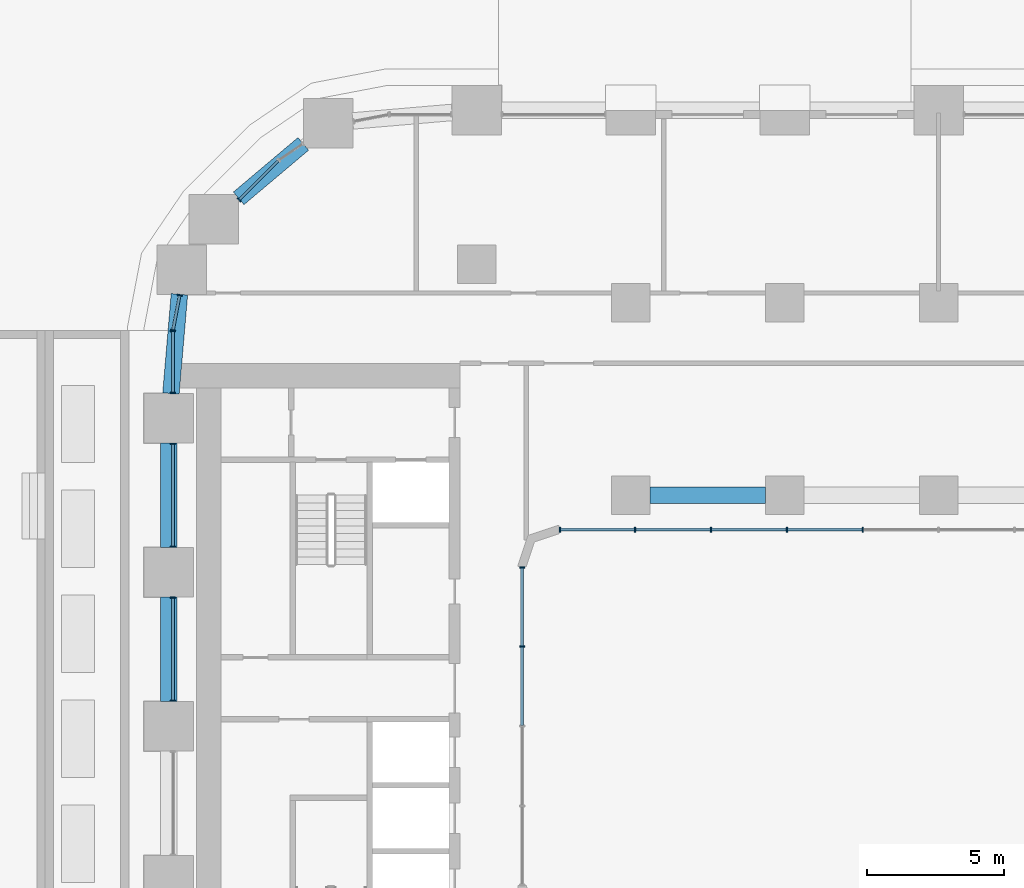
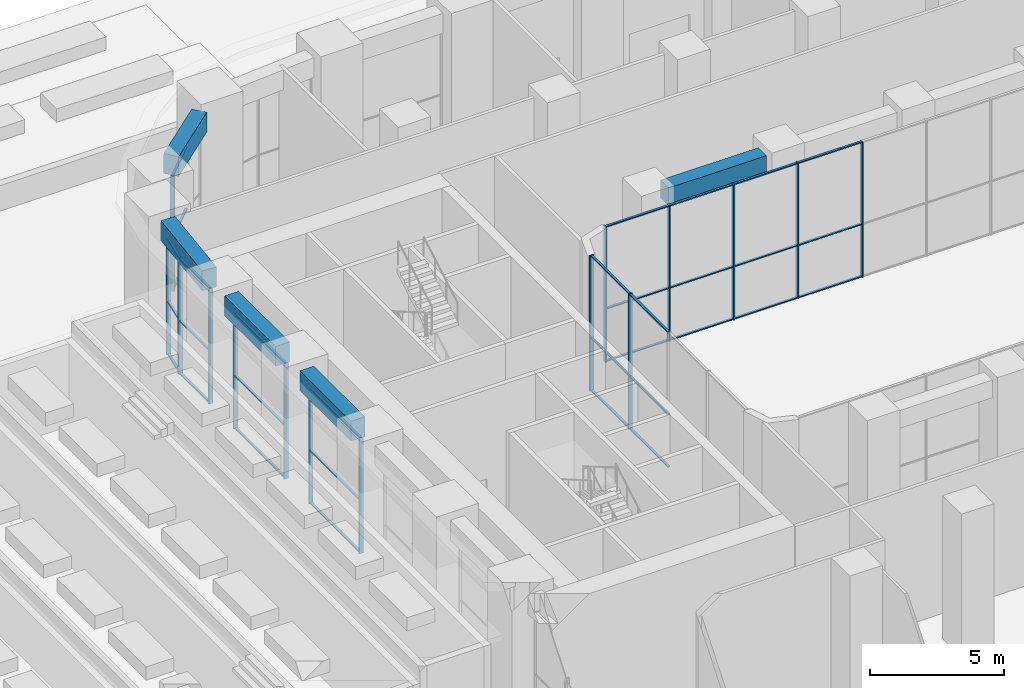
# One storey, part 12 of 51: 49 members, 5 beams, 7 elements without a shape of their own.
"""IFC4 building model written with IfcOpenShell, lengths in metres."""

import ifcopenshell
import ifcopenshell.guid

model = None  # the IFC model being written
_history = None  # IfcOwnerHistory: only IFC2X3 demands one
_inside = {}  # id of a spatial element -> (the spatial element, [elements in it])
_under = {}  # id of a project, library or spatial element -> (it, [spatial elements below it])
_declared = {}  # id of a project -> (the project, [libraries it declares])
_typed = {}  # id of a type object -> (the type object, [elements of that type])
_made_of = {}  # id of a material, layer set ... -> (it, [elements and type objects made of it])


def new_model(schema):
    """Start an empty IFC model of exactly this schema.

    Asked for "IFC4X3", IfcOpenShell would pick the latest addendum, in which some entities
    have other attributes; the version numbers below select the first issue.
    IFC2X3 requires an IfcOwnerHistory on every rooted entity: one is made here for all.
    """
    global model, _history
    if schema == "IFC4X3":
        model = ifcopenshell.file(schema_version=(4, 3, 0, 0))
    else:
        model = ifcopenshell.file(schema=schema)
    _inside.clear()
    _under.clear()
    _declared.clear()
    _typed.clear()
    _made_of.clear()
    _history = None
    if model.schema == "IFC2X3":
        org = make("IfcOrganization", Name="unknown")
        user = make(
            "IfcPersonAndOrganization",
            ThePerson=make("IfcPerson", FamilyName="unknown"),
            TheOrganization=org,
        )
        app = make(
            "IfcApplication",
            ApplicationDeveloper=org,
            Version="unknown",
            ApplicationFullName="unknown",
            ApplicationIdentifier="unknown",
        )
        _history = make(
            "IfcOwnerHistory",
            OwningUser=user,
            OwningApplication=app,
            ChangeAction="ADDED",
            CreationDate=0,
        )
    return model


def make(cls, **values):
    """One entity of the class cls with the attributes given. An attribute that is None is left unset."""
    return model.create_entity(
        cls, **{name: value for name, value in values.items() if value is not None}
    )


def rooted(cls, **values):
    """An entity with a GlobalId (a new one), such as an element, a storey or a relation."""
    return make(cls, GlobalId=ifcopenshell.guid.new(), OwnerHistory=_history, **values)


def si_unit(unit_type, name, prefix=None):
    """IfcSIUnit, for example si_unit("LENGTHUNIT", "METRE", prefix="MILLI")."""
    return make("IfcSIUnit", UnitType=unit_type, Prefix=prefix, Name=name)


def assignment(units):
    """IfcUnitAssignment: the units of a project."""
    return None if units is None else make("IfcUnitAssignment", Units=units)


def point(xyz):
    """IfcCartesianPoint."""
    return None if xyz is None else make("IfcCartesianPoint", Coordinates=xyz)


def direction(xyz):
    """IfcDirection."""
    return None if xyz is None else make("IfcDirection", DirectionRatios=xyz)


def frame(location, z_axis=None, x_axis=None):
    """IfcAxis2Placement3D, a coordinate frame: its origin and axes. An axis left out is left unset."""
    return make(
        "IfcAxis2Placement3D",
        Location=point(location),
        Axis=direction(z_axis),
        RefDirection=direction(x_axis),
    )


def frame_2d(location, x_axis=None):
    """IfcAxis2Placement2D, a coordinate frame in the plane: its origin and x axis."""
    return make(
        "IfcAxis2Placement2D", Location=point(location), RefDirection=direction(x_axis)
    )


def origin():
    """The frame at (0, 0, 0) with its axes left unset."""
    return frame((0.0, 0.0, 0.0))


def origin_2d():
    """The frame at (0, 0) in the plane with its x axis left unset."""
    return frame_2d((0.0, 0.0))


def place(relative_to, where):
    """IfcLocalPlacement: puts the frame where relative to a parent placement (None: the world)."""
    return make(
        "IfcLocalPlacement", PlacementRelTo=relative_to, RelativePlacement=where
    )


def context(
    kind, dimensions, precision=None, world=None, true_north=None, identifier=None
):
    """IfcGeometricRepresentationContext, for example the 3D "Model" context."""
    return make(
        "IfcGeometricRepresentationContext",
        ContextIdentifier=identifier,
        ContextType=kind,
        CoordinateSpaceDimension=dimensions,
        Precision=precision,
        WorldCoordinateSystem=world,
        TrueNorth=true_north,
    )


def subcontext(parent, identifier, kind, view, scale=None):
    """IfcGeometricRepresentationSubContext, for example "Body" below "Model"."""
    return make(
        "IfcGeometricRepresentationSubContext",
        ContextIdentifier=identifier,
        ContextType=kind,
        ParentContext=parent,
        TargetScale=scale,
        TargetView=view,
    )


def project(units=None, contexts=None):
    """IfcProject with its units and contexts."""
    return rooted(
        "IfcProject",
        Name="project",
        RepresentationContexts=contexts,
        UnitsInContext=assignment(units),
    )


def spatial(cls, under=None, at=None, **own):
    """A site, building, storey or space (cls), placed at a placement, below another one or the project."""
    s = rooted(cls, ObjectPlacement=at, **own)
    if under is not None:
        _under.setdefault(under.id(), (under, []))[1].append(s)
    return s


def profile(cls, at=None, kind="AREA", **sizes):
    """A parametric profile (cls). Its sizes go by their IFC names, for example OverallWidth=200.0."""
    return make(cls, ProfileType=kind, Position=at, **sizes)


def rectangle(**sizes):
    """IfcRectangleProfileDef."""
    return profile("IfcRectangleProfileDef", **sizes)


def extrude(swept, where, along, depth):
    """IfcExtrudedAreaSolid: the profile swept, set in the frame where, extruded along a direction by depth."""
    return make(
        "IfcExtrudedAreaSolid",
        SweptArea=swept,
        Position=where,
        ExtrudedDirection=direction(along),
        Depth=depth,
    )


def shape(context_of_items, identifier, shape_type, items):
    """IfcShapeRepresentation: the items that make up one representation, for example the "Body"."""
    return make(
        "IfcShapeRepresentation",
        ContextOfItems=context_of_items,
        RepresentationIdentifier=identifier,
        RepresentationType=shape_type,
        Items=items,
    )


def material(Name=None, Category=None):
    """IfcMaterial."""
    return make("IfcMaterial", Name=Name, Category=Category)


def layer(
    of_material, thickness, ventilated=None, Name=None, Category=None, Priority=None
):
    """IfcMaterialLayer: one layer of a wall or slab, of a material (None: an air gap)."""
    return make(
        "IfcMaterialLayer",
        Material=of_material,
        LayerThickness=thickness,
        IsVentilated=ventilated,
        Name=Name,
        Category=Category,
        Priority=Priority,
    )


def layer_set(layers, Name=None):
    """IfcMaterialLayerSet."""
    return make("IfcMaterialLayerSet", MaterialLayers=layers, LayerSetName=Name)


def material_profile(
    of_material, cross_section, Name=None, Category=None, Priority=None
):
    """IfcMaterialProfile: a cross section and its material."""
    return make(
        "IfcMaterialProfile",
        Name=Name,
        Material=of_material,
        Profile=cross_section,
        Priority=Priority,
        Category=Category,
    )


def profile_set(profiles, Name=None, composite=None):
    """IfcMaterialProfileSet."""
    return make(
        "IfcMaterialProfileSet",
        Name=Name,
        MaterialProfiles=profiles,
        CompositeProfile=composite,
    )


def made_of(thing, what):
    """Note that an element or type object is made of a material, layer set ...; save() writes the relation."""
    if what is not None:
        _made_of.setdefault(what.id(), (what, []))[1].append(thing)
    return thing


def type_object(cls, material=None, **own):
    """A type object (cls), such as IfcWallType, which elements share."""
    return made_of(rooted(cls, **own), material)


def element(
    cls,
    number,
    at=None,
    inside=None,
    cuts=None,
    type_object=None,
    material=None,
    context=None,
    identifier="Body",
    shape_type=None,
    held_by="IfcProductDefinitionShape",
    body=None,
    shapes=None,
    **own,
):
    """One element of the class cls, such as IfcWall. Its Tag is "e" and its number.

    at: its placement. inside: the storey or other place that contains it. cuts: it is an
    opening in that element (IfcRelVoidsElement). A single representation is given by context,
    identifier, shape_type and body (its items); several are given by shapes. held_by: the class
    of the entity that holds the representations. save() writes the other relations.
    """
    e = rooted(cls, Tag="e%d" % number, ObjectPlacement=at, **own)
    if body is not None:
        shapes = [shape(context, identifier, shape_type, body)]
    if shapes is not None:
        e.Representation = make(held_by, Representations=shapes)
    if inside is not None:
        _inside.setdefault(inside.id(), (inside, []))[1].append(e)
    if cuts is not None:
        rooted(
            "IfcRelVoidsElement", RelatingBuildingElement=cuts, RelatedOpeningElement=e
        )
    if type_object is not None:
        _typed.setdefault(type_object.id(), (type_object, []))[1].append(e)
    return made_of(e, material)


def aggregate(whole, parts):
    """IfcRelAggregates: a whole, such as a stair, and the parts it consists of."""
    return rooted("IfcRelAggregates", RelatingObject=whole, RelatedObjects=parts)


def save(model, path):
    """Write the relations noted so far, then the file.

    IfcRelAggregates (storeys below a building ...), IfcRelContainedInSpatialStructure (elements
    in a storey), IfcRelDefinesByType, IfcRelAssociatesMaterial and IfcRelDeclares: one each for
    every whole, place, type object, material and project.
    """
    for whole, parts in _under.values():
        aggregate(whole, parts)
    for where, things in _inside.values():
        rooted(
            "IfcRelContainedInSpatialStructure",
            RelatedElements=things,
            RelatingStructure=where,
        )
    for kind, things in _typed.values():
        rooted("IfcRelDefinesByType", RelatedObjects=things, RelatingType=kind)
    for what, things in _made_of.values():
        rooted("IfcRelAssociatesMaterial", RelatedObjects=things, RelatingMaterial=what)
    for by, libraries in _declared.values():
        rooted("IfcRelDeclares", RelatingContext=by, RelatedDefinitions=libraries)
    model.write(path)


model = new_model("IFC4")

# Units and contexts
model_context = context("Model", 3, precision=1e-05, world=origin(), true_north=direction((0.0, 1.0)))
body_context = subcontext(model_context, "Body", "Model", "MODEL_VIEW")
ifc_project = project(units=[si_unit("LENGTHUNIT", "METRE"), si_unit("AREAUNIT", "SQUARE_METRE"), si_unit("VOLUMEUNIT", "CUBIC_METRE"), si_unit("PLANEANGLEUNIT", "RADIAN"), si_unit("MASSUNIT", "GRAM", prefix="KILO")], contexts=[model_context])

# Site, building, storey
site_placement = place(None, origin())
site = spatial("IfcSite", under=ifc_project, at=site_placement, CompositionType="ELEMENT")
building_placement = place(site_placement, origin())
building = spatial("IfcBuilding", under=site, at=building_placement, Name="Kiln Ring Residences", CompositionType="ELEMENT")
storey_placement = place(building_placement, origin())
storey = spatial("IfcBuildingStorey", under=building, at=storey_placement, Name="L00", CompositionType="ELEMENT", Elevation=0.0)

# Curtain wall, member
ifc_material_1 = material(Name="Aluminium and glass", Category="aluminium")
ifc_layer = layer(ifc_material_1, 0.179931640625)
ifc_layer_set = layer_set([ifc_layer], Name="CW2 CURTAIN WALL")
curtain_wall_type = type_object("IfcCurtainWallType", Name="CW2 CURTAIN WALL", PredefinedType="NOTDEFINED", material=ifc_layer_set)
placement = place(storey_placement, origin())
curtain_wall_1 = element("IfcCurtainWall", 1, at=placement, inside=storey, type_object=curtain_wall_type, Name="Curtain wall CW2 L00", PredefinedType="NOTDEFINED")
ifc_material_2 = material(Name="Aluminium 6063-T6", Category="aluminium")
ifc_material_profile_1 = material_profile(ifc_material_2, rectangle(XDim=0.179931640625, YDim=0.050048828125, at=origin_2d()), Name="AL 180x50")
ifc_profile_set_1 = profile_set([ifc_material_profile_1], Name="Aluminium 6063-T6")
member_type_1 = type_object("IfcMemberType", Name="CW2 MULLION 180 x 50", PredefinedType="MULLION", material=ifc_profile_set_1)
member_1_placement = place(storey_placement, frame((-25.442138671875, 19.145751953125, 0.0), z_axis=(0.0, 0.0, 1.0), x_axis=(0.707106781187, -0.707106781187, 0.0)))
member_1 = element("IfcMember", 2, at=member_1_placement, type_object=member_type_1, Name="CW2 mullion 2", PredefinedType="MULLION", context=body_context, shape_type="SweptSolid", body=[
    extrude(rectangle(XDim=0.179931640625, YDim=0.050048828125, at=origin_2d()), origin(), (0.0, 0.0, 1.0), 5.25),
])

# Curtain wall, members
curtain_wall_2 = element("IfcCurtainWall", 3, at=placement, inside=storey, type_object=curtain_wall_type, Name="Curtain wall CW2 L00", PredefinedType="NOTDEFINED")
member_2_placement = place(storey_placement, frame((-27.603271484375, 15.679443359375, 0.0), z_axis=(0.0, 0.0, 1.0), x_axis=(0.9822902578, -0.187365550279, 0.0)))
member_2 = element("IfcMember", 4, at=member_2_placement, type_object=member_type_1, Name="CW2 mullion 1", PredefinedType="MULLION", context=body_context, shape_type="SweptSolid", body=[
    extrude(rectangle(XDim=0.179931640625, YDim=0.050048828125, at=origin_2d()), origin(), (0.0, 0.0, 1.0), 5.25),
])
member_3_placement = place(storey_placement, frame((-27.847900390625, 14.396484375, 0.0), z_axis=(0.0, 0.0, 1.0), x_axis=(0.9822902578, -0.187365550279, 0.0)))
member_3 = element("IfcMember", 5, at=member_3_placement, type_object=member_type_1, Name="CW2 mullion 2", PredefinedType="MULLION", context=body_context, shape_type="SweptSolid", body=[
    extrude(rectangle(XDim=0.179931640625, YDim=0.050048828125, at=origin_2d()), origin(), (0.0, 0.0, 1.0), 5.25),
])

curtain_wall_3 = element("IfcCurtainWall", 6, at=placement, inside=storey, type_object=curtain_wall_type, Name="Curtain wall CW2 L00", PredefinedType="NOTDEFINED")
member_4_placement = place(storey_placement, frame((-27.85009765625, 14.375, 0.0), z_axis=(0.0, 0.0, 1.0), x_axis=(1.0, 0.0, 0.0)))
member_4 = element("IfcMember", 7, at=member_4_placement, type_object=member_type_1, Name="CW2 mullion 1", PredefinedType="MULLION", context=body_context, shape_type="SweptSolid", body=[
    extrude(rectangle(XDim=0.179931640625, YDim=0.050048828125, at=origin_2d()), origin(), (0.0, 0.0, 1.0), 5.25),
])
member_5_placement = place(storey_placement, frame((-27.85009765625, 12.125, 0.0), z_axis=(0.0, 0.0, 1.0), x_axis=(1.0, 0.0, 0.0)))
member_5 = element("IfcMember", 8, at=member_5_placement, type_object=member_type_1, Name="CW2 mullion 2", PredefinedType="MULLION", context=body_context, shape_type="SweptSolid", body=[
    extrude(rectangle(XDim=0.179931640625, YDim=0.050048828125, at=origin_2d()), origin(), (0.0, 0.0, 1.0), 5.25),
])

curtain_wall_4 = element("IfcCurtainWall", 9, at=placement, inside=storey, type_object=curtain_wall_type, Name="Curtain wall CW2 L00", PredefinedType="NOTDEFINED")
member_6_placement = place(storey_placement, frame((-27.85009765625, 10.27490234375, 0.0), z_axis=(0.0, 0.0, 1.0), x_axis=(1.0, 0.0, 0.0)))
member_6 = element("IfcMember", 10, at=member_6_placement, type_object=member_type_1, Name="CW2 mullion 1", PredefinedType="MULLION", context=body_context, shape_type="SweptSolid", body=[
    extrude(rectangle(XDim=0.179931640625, YDim=0.050048828125, at=origin_2d()), origin(), (0.0, 0.0, 1.0), 5.25),
])
member_7_placement = place(storey_placement, frame((-27.85009765625, 6.52490234375, 0.0), z_axis=(0.0, 0.0, 1.0), x_axis=(1.0, 0.0, 0.0)))
member_7 = element("IfcMember", 11, at=member_7_placement, type_object=member_type_1, Name="CW2 mullion 2", PredefinedType="MULLION", context=body_context, shape_type="SweptSolid", body=[
    extrude(rectangle(XDim=0.179931640625, YDim=0.050048828125, at=origin_2d()), origin(), (0.0, 0.0, 1.0), 5.25),
])

curtain_wall_5 = element("IfcCurtainWall", 12, at=placement, inside=storey, type_object=curtain_wall_type, Name="Curtain wall CW2 L00", PredefinedType="NOTDEFINED")
member_8_placement = place(storey_placement, frame((-27.85009765625, 4.675048828125, 0.0), z_axis=(0.0, 0.0, 1.0), x_axis=(1.0, 0.0, 0.0)))
member_8 = element("IfcMember", 13, at=member_8_placement, type_object=member_type_1, Name="CW2 mullion 1", PredefinedType="MULLION", context=body_context, shape_type="SweptSolid", body=[
    extrude(rectangle(XDim=0.179931640625, YDim=0.050048828125, at=origin_2d()), origin(), (0.0, 0.0, 1.0), 5.25),
])
member_9_placement = place(storey_placement, frame((-27.85009765625, 0.925048828125, 0.0), z_axis=(0.0, 0.0, 1.0), x_axis=(1.0, 0.0, 0.0)))
member_9 = element("IfcMember", 14, at=member_9_placement, type_object=member_type_1, Name="CW2 mullion 2", PredefinedType="MULLION", context=body_context, shape_type="SweptSolid", body=[
    extrude(rectangle(XDim=0.179931640625, YDim=0.050048828125, at=origin_2d()), origin(), (0.0, 0.0, 1.0), 5.25),
])

curtain_wall_6 = element("IfcCurtainWall", 15, at=placement, inside=storey, type_object=curtain_wall_type, Name="Curtain wall CW2 L00", PredefinedType="NOTDEFINED")
member_10_placement = place(storey_placement, frame((-15.14990234375, 2.89990234375, 0.0), z_axis=(0.0, 0.0, 1.0), x_axis=(-1.0, 0.0, 0.0)))
member_10 = element("IfcMember", 16, at=member_10_placement, type_object=member_type_1, Name="CW2 mullion 4", PredefinedType="MULLION", context=body_context, shape_type="SweptSolid", body=[
    extrude(rectangle(XDim=0.179931640625, YDim=0.050048828125, at=origin_2d()), origin(), (0.0, 0.0, 1.0), 6.14990234375),
])
member_11_placement = place(storey_placement, frame((-15.14990234375, 5.77490234375, 0.0), z_axis=(0.0, 0.0, 1.0), x_axis=(-1.0, 0.0, 0.0)))
member_11 = element("IfcMember", 17, at=member_11_placement, type_object=member_type_1, Name="CW2 mullion 5", PredefinedType="MULLION", context=body_context, shape_type="SweptSolid", body=[
    extrude(rectangle(XDim=0.179931640625, YDim=0.050048828125, at=origin_2d()), origin(), (0.0, 0.0, 1.0), 6.14990234375),
])

curtain_wall_7 = element("IfcCurtainWall", 18, at=placement, inside=storey, type_object=curtain_wall_type, Name="Curtain wall CW2 L00", PredefinedType="NOTDEFINED")
member_12_placement = place(storey_placement, frame((-13.77490234375, 7.14990234375, 0.0), z_axis=(0.0, 0.0, 1.0), x_axis=(0.0, 1.0, 0.0)))
member_12 = element("IfcMember", 19, at=member_12_placement, type_object=member_type_1, Name="CW2 mullion 1", PredefinedType="MULLION", context=body_context, shape_type="SweptSolid", body=[
    extrude(rectangle(XDim=0.179931640625, YDim=0.050048828125, at=origin_2d()), origin(), (0.0, 0.0, 1.0), 6.14990234375),
])
member_13_placement = place(storey_placement, frame((-11.0400390625, 7.14990234375, 0.0), z_axis=(0.0, 0.0, 1.0), x_axis=(0.0, 1.0, 0.0)))
member_13 = element("IfcMember", 20, at=member_13_placement, type_object=member_type_1, Name="CW2 mullion 2", PredefinedType="MULLION", context=body_context, shape_type="SweptSolid", body=[
    extrude(rectangle(XDim=0.179931640625, YDim=0.050048828125, at=origin_2d()), origin(), (0.0, 0.0, 1.0), 6.14990234375),
])
member_14_placement = place(storey_placement, frame((-8.280029296875, 7.14990234375, 0.0), z_axis=(0.0, 0.0, 1.0), x_axis=(0.0, 1.0, 0.0)))
member_14 = element("IfcMember", 21, at=member_14_placement, type_object=member_type_1, Name="CW2 mullion 3", PredefinedType="MULLION", context=body_context, shape_type="SweptSolid", body=[
    extrude(rectangle(XDim=0.179931640625, YDim=0.050048828125, at=origin_2d()), origin(), (0.0, 0.0, 1.0), 6.14990234375),
])
member_15_placement = place(storey_placement, frame((-5.52001953125, 7.14990234375, 0.0), z_axis=(0.0, 0.0, 1.0), x_axis=(0.0, 1.0, 0.0)))
member_15 = element("IfcMember", 22, at=member_15_placement, type_object=member_type_1, Name="CW2 mullion 4", PredefinedType="MULLION", context=body_context, shape_type="SweptSolid", body=[
    extrude(rectangle(XDim=0.179931640625, YDim=0.050048828125, at=origin_2d()), origin(), (0.0, 0.0, 1.0), 6.14990234375),
])
member_16_placement = place(storey_placement, frame((-2.760009765625, 7.14990234375, 0.0), z_axis=(0.0, 0.0, 1.0), x_axis=(0.0, 1.0, 0.0)))
member_16 = element("IfcMember", 23, at=member_16_placement, type_object=member_type_1, Name="CW2 mullion 5", PredefinedType="MULLION", context=body_context, shape_type="SweptSolid", body=[
    extrude(rectangle(XDim=0.179931640625, YDim=0.050048828125, at=origin_2d()), origin(), (0.0, 0.0, 1.0), 6.14990234375),
])

# Member
ifc_material_3 = material(Name="Aluminium 6063-T6", Category="aluminium")
ifc_material_profile_2 = material_profile(ifc_material_3, rectangle(XDim=0.10009765625, YDim=0.050048828125, at=origin_2d()), Name="AL 100x50")
ifc_profile_set_2 = profile_set([ifc_material_profile_2], Name="Aluminium 6063-T6")
member_type_2 = type_object("IfcMemberType", Name="CW2 TRANSOM 100 x 50", PredefinedType="USERDEFINED", material=ifc_profile_set_2)
member_17_placement = place(storey_placement, frame((-24.0263671875, 20.5615234375, 0.02490234375), z_axis=(-0.707106781187, -0.707106781187, 0.0), x_axis=(0.707106781187, -0.707106781187, 0.0)))
member_17 = element("IfcMember", 24, at=member_17_placement, type_object=member_type_2, Name="CW2 transom 1.1", ObjectType="TRANSOM", PredefinedType="USERDEFINED", context=body_context, shape_type="SweptSolid", body=[
    extrude(rectangle(XDim=0.10009765625, YDim=0.050048828125, at=origin_2d()), origin(), (0.0, 0.0, 1.0), 1.977294921875),
])

member_18_placement = place(storey_placement, frame((-24.0263671875, 20.5615234375, 2.39990234375), z_axis=(-0.707106781187, -0.707106781187, 0.0), x_axis=(0.707106781187, -0.707106781187, 0.0)))
member_18 = element("IfcMember", 25, at=member_18_placement, type_object=member_type_2, Name="CW2 transom 1.2", ObjectType="TRANSOM", PredefinedType="USERDEFINED", context=body_context, shape_type="SweptSolid", body=[
    extrude(rectangle(XDim=0.10009765625, YDim=0.050048828125, at=origin_2d()), origin(), (0.0, 0.0, 1.0), 1.977294921875),
])

member_19_placement = place(storey_placement, frame((-24.0263671875, 20.5615234375, 5.22509765625), z_axis=(-0.707106781187, -0.707106781187, 0.0), x_axis=(0.707106781187, -0.707106781187, 0.0)))
member_19 = element("IfcMember", 26, at=member_19_placement, type_object=member_type_2, Name="CW2 transom 1.3", ObjectType="TRANSOM", PredefinedType="USERDEFINED", context=body_context, shape_type="SweptSolid", body=[
    extrude(rectangle(XDim=0.10009765625, YDim=0.050048828125, at=origin_2d()), origin(), (0.0, 0.0, 1.0), 1.977294921875),
])

aggregate(curtain_wall_1, [member_1, member_17, member_18, member_19])

member_20_placement = place(storey_placement, frame((-27.60791015625, 15.65478515625, 0.02490234375), z_axis=(-0.18736217437, -0.982290901727, 0.0), x_axis=(0.982290901727, -0.18736217437, 0.0)))
member_20 = element("IfcMember", 27, at=member_20_placement, type_object=member_type_2, Name="CW2 transom 1.1", ObjectType="TRANSOM", PredefinedType="USERDEFINED", context=body_context, shape_type="SweptSolid", body=[
    extrude(rectangle(XDim=0.10009765625, YDim=0.050048828125, at=origin_2d()), origin(), (0.0, 0.0, 1.0), 1.256103515625),
])

member_21_placement = place(storey_placement, frame((-27.60791015625, 15.65478515625, 2.39990234375), z_axis=(-0.18736217437, -0.982290901727, 0.0), x_axis=(0.982290901727, -0.18736217437, 0.0)))
member_21 = element("IfcMember", 28, at=member_21_placement, type_object=member_type_2, Name="CW2 transom 1.2", ObjectType="TRANSOM", PredefinedType="USERDEFINED", context=body_context, shape_type="SweptSolid", body=[
    extrude(rectangle(XDim=0.10009765625, YDim=0.050048828125, at=origin_2d()), origin(), (0.0, 0.0, 1.0), 1.256103515625),
])

member_22_placement = place(storey_placement, frame((-27.60791015625, 15.65478515625, 5.22509765625), z_axis=(-0.18736217437, -0.982290901727, 0.0), x_axis=(0.982290901727, -0.18736217437, 0.0)))
member_22 = element("IfcMember", 29, at=member_22_placement, type_object=member_type_2, Name="CW2 transom 1.3", ObjectType="TRANSOM", PredefinedType="USERDEFINED", context=body_context, shape_type="SweptSolid", body=[
    extrude(rectangle(XDim=0.10009765625, YDim=0.050048828125, at=origin_2d()), origin(), (0.0, 0.0, 1.0), 1.256103515625),
])

aggregate(curtain_wall_2, [member_2, member_3, member_20, member_21, member_22])

member_23_placement = place(storey_placement, frame((-27.85009765625, 14.35009765625, 0.02490234375), z_axis=(0.0, -1.0, 0.0), x_axis=(1.0, 0.0, 0.0)))
member_23 = element("IfcMember", 30, at=member_23_placement, type_object=member_type_2, Name="CW2 transom 1.1", ObjectType="TRANSOM", PredefinedType="USERDEFINED", context=body_context, shape_type="SweptSolid", body=[
    extrude(rectangle(XDim=0.10009765625, YDim=0.050048828125, at=origin_2d()), origin(), (0.0, 0.0, 1.0), 2.2001953125),
])

member_24_placement = place(storey_placement, frame((-27.85009765625, 14.35009765625, 2.39990234375), z_axis=(0.0, -1.0, 0.0), x_axis=(1.0, 0.0, 0.0)))
member_24 = element("IfcMember", 31, at=member_24_placement, type_object=member_type_2, Name="CW2 transom 1.2", ObjectType="TRANSOM", PredefinedType="USERDEFINED", context=body_context, shape_type="SweptSolid", body=[
    extrude(rectangle(XDim=0.10009765625, YDim=0.050048828125, at=origin_2d()), origin(), (0.0, 0.0, 1.0), 2.2001953125),
])

member_25_placement = place(storey_placement, frame((-27.85009765625, 14.35009765625, 5.22509765625), z_axis=(0.0, -1.0, 0.0), x_axis=(1.0, 0.0, 0.0)))
member_25 = element("IfcMember", 32, at=member_25_placement, type_object=member_type_2, Name="CW2 transom 1.3", ObjectType="TRANSOM", PredefinedType="USERDEFINED", context=body_context, shape_type="SweptSolid", body=[
    extrude(rectangle(XDim=0.10009765625, YDim=0.050048828125, at=origin_2d()), origin(), (0.0, 0.0, 1.0), 2.2001953125),
])

aggregate(curtain_wall_3, [member_4, member_5, member_23, member_24, member_25])

member_26_placement = place(storey_placement, frame((-27.85009765625, 10.25, 0.02490234375), z_axis=(0.0, -1.0, 0.0), x_axis=(1.0, 0.0, 0.0)))
member_26 = element("IfcMember", 33, at=member_26_placement, type_object=member_type_2, Name="CW2 transom 1.1", ObjectType="TRANSOM", PredefinedType="USERDEFINED", context=body_context, shape_type="SweptSolid", body=[
    extrude(rectangle(XDim=0.10009765625, YDim=0.050048828125, at=origin_2d()), origin(), (0.0, 0.0, 1.0), 3.699951171875),
])

member_27_placement = place(storey_placement, frame((-27.85009765625, 10.25, 2.39990234375), z_axis=(0.0, -1.0, 0.0), x_axis=(1.0, 0.0, 0.0)))
member_27 = element("IfcMember", 34, at=member_27_placement, type_object=member_type_2, Name="CW2 transom 1.2", ObjectType="TRANSOM", PredefinedType="USERDEFINED", context=body_context, shape_type="SweptSolid", body=[
    extrude(rectangle(XDim=0.10009765625, YDim=0.050048828125, at=origin_2d()), origin(), (0.0, 0.0, 1.0), 3.699951171875),
])

member_28_placement = place(storey_placement, frame((-27.85009765625, 10.25, 5.22509765625), z_axis=(0.0, -1.0, 0.0), x_axis=(1.0, 0.0, 0.0)))
member_28 = element("IfcMember", 35, at=member_28_placement, type_object=member_type_2, Name="CW2 transom 1.3", ObjectType="TRANSOM", PredefinedType="USERDEFINED", context=body_context, shape_type="SweptSolid", body=[
    extrude(rectangle(XDim=0.10009765625, YDim=0.050048828125, at=origin_2d()), origin(), (0.0, 0.0, 1.0), 3.699951171875),
])

aggregate(curtain_wall_4, [member_6, member_7, member_26, member_27, member_28])

member_29_placement = place(storey_placement, frame((-27.85009765625, 4.64990234375, 0.02490234375), z_axis=(0.0, -1.0, 0.0), x_axis=(1.0, 0.0, 0.0)))
member_29 = element("IfcMember", 36, at=member_29_placement, type_object=member_type_2, Name="CW2 transom 1.1", ObjectType="TRANSOM", PredefinedType="USERDEFINED", context=body_context, shape_type="SweptSolid", body=[
    extrude(rectangle(XDim=0.10009765625, YDim=0.050048828125, at=origin_2d()), origin(), (0.0, 0.0, 1.0), 3.699951171875),
])

member_30_placement = place(storey_placement, frame((-27.85009765625, 4.64990234375, 2.39990234375), z_axis=(0.0, -1.0, 0.0), x_axis=(1.0, 0.0, 0.0)))
member_30 = element("IfcMember", 37, at=member_30_placement, type_object=member_type_2, Name="CW2 transom 1.2", ObjectType="TRANSOM", PredefinedType="USERDEFINED", context=body_context, shape_type="SweptSolid", body=[
    extrude(rectangle(XDim=0.10009765625, YDim=0.050048828125, at=origin_2d()), origin(), (0.0, 0.0, 1.0), 3.699951171875),
])

member_31_placement = place(storey_placement, frame((-27.85009765625, 4.64990234375, 5.22509765625), z_axis=(0.0, -1.0, 0.0), x_axis=(1.0, 0.0, 0.0)))
member_31 = element("IfcMember", 38, at=member_31_placement, type_object=member_type_2, Name="CW2 transom 1.3", ObjectType="TRANSOM", PredefinedType="USERDEFINED", context=body_context, shape_type="SweptSolid", body=[
    extrude(rectangle(XDim=0.10009765625, YDim=0.050048828125, at=origin_2d()), origin(), (0.0, 0.0, 1.0), 3.699951171875),
])

aggregate(curtain_wall_5, [member_8, member_9, member_29, member_30, member_31])

member_32_placement = place(storey_placement, frame((-15.14990234375, 0.02490234375, 0.02490234375), z_axis=(0.0, 1.0, 0.0), x_axis=(-1.0, 0.0, 0.0)))
member_32 = element("IfcMember", 39, at=member_32_placement, type_object=member_type_2, Name="CW2 transom 3.1", ObjectType="TRANSOM", PredefinedType="USERDEFINED", context=body_context, shape_type="SweptSolid", body=[
    extrude(rectangle(XDim=0.10009765625, YDim=0.050048828125, at=origin_2d()), origin(), (0.0, 0.0, 1.0), 2.85009765625),
])

member_33_placement = place(storey_placement, frame((-15.14990234375, 0.02490234375, 2.39990234375), z_axis=(0.0, 1.0, 0.0), x_axis=(-1.0, 0.0, 0.0)))
member_33 = element("IfcMember", 40, at=member_33_placement, type_object=member_type_2, Name="CW2 transom 3.2", ObjectType="TRANSOM", PredefinedType="USERDEFINED", context=body_context, shape_type="SweptSolid", body=[
    extrude(rectangle(XDim=0.10009765625, YDim=0.050048828125, at=origin_2d()), origin(), (0.0, 0.0, 1.0), 2.85009765625),
])

member_34_placement = place(storey_placement, frame((-15.14990234375, 0.02490234375, 6.125), z_axis=(0.0, 1.0, 0.0), x_axis=(-1.0, 0.0, 0.0)))
member_34 = element("IfcMember", 41, at=member_34_placement, type_object=member_type_2, Name="CW2 transom 3.3", ObjectType="TRANSOM", PredefinedType="USERDEFINED", context=body_context, shape_type="SweptSolid", body=[
    extrude(rectangle(XDim=0.10009765625, YDim=0.050048828125, at=origin_2d()), origin(), (0.0, 0.0, 1.0), 2.85009765625),
])

member_35_placement = place(storey_placement, frame((-15.14990234375, 2.925048828125, 0.02490234375), z_axis=(0.0, 1.0, 0.0), x_axis=(-1.0, 0.0, 0.0)))
member_35 = element("IfcMember", 42, at=member_35_placement, type_object=member_type_2, Name="CW2 transom 4.1", ObjectType="TRANSOM", PredefinedType="USERDEFINED", context=body_context, shape_type="SweptSolid", body=[
    extrude(rectangle(XDim=0.10009765625, YDim=0.050048828125, at=origin_2d()), origin(), (0.0, 0.0, 1.0), 2.824951171875),
])

member_36_placement = place(storey_placement, frame((-15.14990234375, 2.925048828125, 2.39990234375), z_axis=(0.0, 1.0, 0.0), x_axis=(-1.0, 0.0, 0.0)))
member_36 = element("IfcMember", 43, at=member_36_placement, type_object=member_type_2, Name="CW2 transom 4.2", ObjectType="TRANSOM", PredefinedType="USERDEFINED", context=body_context, shape_type="SweptSolid", body=[
    extrude(rectangle(XDim=0.10009765625, YDim=0.050048828125, at=origin_2d()), origin(), (0.0, 0.0, 1.0), 2.824951171875),
])

member_37_placement = place(storey_placement, frame((-15.14990234375, 2.925048828125, 6.125), z_axis=(0.0, 1.0, 0.0), x_axis=(-1.0, 0.0, 0.0)))
member_37 = element("IfcMember", 44, at=member_37_placement, type_object=member_type_2, Name="CW2 transom 4.3", ObjectType="TRANSOM", PredefinedType="USERDEFINED", context=body_context, shape_type="SweptSolid", body=[
    extrude(rectangle(XDim=0.10009765625, YDim=0.050048828125, at=origin_2d()), origin(), (0.0, 0.0, 1.0), 2.824951171875),
])

aggregate(curtain_wall_6, [member_10, member_11, member_32, member_33, member_34, member_35, member_36, member_37])

member_38_placement = place(storey_placement, frame((-13.75, 7.14990234375, 0.02490234375), z_axis=(1.0, 0.0, 0.0), x_axis=(0.0, 1.0, 0.0)))
member_38 = element("IfcMember", 45, at=member_38_placement, type_object=member_type_2, Name="CW2 transom 1.1", ObjectType="TRANSOM", PredefinedType="USERDEFINED", context=body_context, shape_type="SweptSolid", body=[
    extrude(rectangle(XDim=0.10009765625, YDim=0.050048828125, at=origin_2d()), origin(), (0.0, 0.0, 1.0), 2.68505859375),
])

member_39_placement = place(storey_placement, frame((-13.75, 7.14990234375, 2.39990234375), z_axis=(1.0, 0.0, 0.0), x_axis=(0.0, 1.0, 0.0)))
member_39 = element("IfcMember", 46, at=member_39_placement, type_object=member_type_2, Name="CW2 transom 1.2", ObjectType="TRANSOM", PredefinedType="USERDEFINED", context=body_context, shape_type="SweptSolid", body=[
    extrude(rectangle(XDim=0.10009765625, YDim=0.050048828125, at=origin_2d()), origin(), (0.0, 0.0, 1.0), 2.68505859375),
])

member_40_placement = place(storey_placement, frame((-13.75, 7.14990234375, 6.125), z_axis=(1.0, 0.0, 0.0), x_axis=(0.0, 1.0, 0.0)))
member_40 = element("IfcMember", 47, at=member_40_placement, type_object=member_type_2, Name="CW2 transom 1.3", ObjectType="TRANSOM", PredefinedType="USERDEFINED", context=body_context, shape_type="SweptSolid", body=[
    extrude(rectangle(XDim=0.10009765625, YDim=0.050048828125, at=origin_2d()), origin(), (0.0, 0.0, 1.0), 2.68505859375),
])

member_41_placement = place(storey_placement, frame((-11.014892578125, 7.14990234375, 0.02490234375), z_axis=(1.0, 0.0, 0.0), x_axis=(0.0, 1.0, 0.0)))
member_41 = element("IfcMember", 48, at=member_41_placement, type_object=member_type_2, Name="CW2 transom 2.1", ObjectType="TRANSOM", PredefinedType="USERDEFINED", context=body_context, shape_type="SweptSolid", body=[
    extrude(rectangle(XDim=0.10009765625, YDim=0.050048828125, at=origin_2d()), origin(), (0.0, 0.0, 1.0), 2.7099609375),
])

member_42_placement = place(storey_placement, frame((-11.014892578125, 7.14990234375, 2.39990234375), z_axis=(1.0, 0.0, 0.0), x_axis=(0.0, 1.0, 0.0)))
member_42 = element("IfcMember", 49, at=member_42_placement, type_object=member_type_2, Name="CW2 transom 2.2", ObjectType="TRANSOM", PredefinedType="USERDEFINED", context=body_context, shape_type="SweptSolid", body=[
    extrude(rectangle(XDim=0.10009765625, YDim=0.050048828125, at=origin_2d()), origin(), (0.0, 0.0, 1.0), 2.7099609375),
])

member_43_placement = place(storey_placement, frame((-11.014892578125, 7.14990234375, 6.125), z_axis=(1.0, 0.0, 0.0), x_axis=(0.0, 1.0, 0.0)))
member_43 = element("IfcMember", 50, at=member_43_placement, type_object=member_type_2, Name="CW2 transom 2.3", ObjectType="TRANSOM", PredefinedType="USERDEFINED", context=body_context, shape_type="SweptSolid", body=[
    extrude(rectangle(XDim=0.10009765625, YDim=0.050048828125, at=origin_2d()), origin(), (0.0, 0.0, 1.0), 2.7099609375),
])

member_44_placement = place(storey_placement, frame((-8.2548828125, 7.14990234375, 0.02490234375), z_axis=(1.0, 0.0, 0.0), x_axis=(0.0, 1.0, 0.0)))
member_44 = element("IfcMember", 51, at=member_44_placement, type_object=member_type_2, Name="CW2 transom 3.1", ObjectType="TRANSOM", PredefinedType="USERDEFINED", context=body_context, shape_type="SweptSolid", body=[
    extrude(rectangle(XDim=0.10009765625, YDim=0.050048828125, at=origin_2d()), origin(), (0.0, 0.0, 1.0), 2.7099609375),
])

member_45_placement = place(storey_placement, frame((-8.2548828125, 7.14990234375, 2.39990234375), z_axis=(1.0, 0.0, 0.0), x_axis=(0.0, 1.0, 0.0)))
member_45 = element("IfcMember", 52, at=member_45_placement, type_object=member_type_2, Name="CW2 transom 3.2", ObjectType="TRANSOM", PredefinedType="USERDEFINED", context=body_context, shape_type="SweptSolid", body=[
    extrude(rectangle(XDim=0.10009765625, YDim=0.050048828125, at=origin_2d()), origin(), (0.0, 0.0, 1.0), 2.7099609375),
])

member_46_placement = place(storey_placement, frame((-8.2548828125, 7.14990234375, 6.125), z_axis=(1.0, 0.0, 0.0), x_axis=(0.0, 1.0, 0.0)))
member_46 = element("IfcMember", 53, at=member_46_placement, type_object=member_type_2, Name="CW2 transom 3.3", ObjectType="TRANSOM", PredefinedType="USERDEFINED", context=body_context, shape_type="SweptSolid", body=[
    extrude(rectangle(XDim=0.10009765625, YDim=0.050048828125, at=origin_2d()), origin(), (0.0, 0.0, 1.0), 2.7099609375),
])

member_47_placement = place(storey_placement, frame((-5.4951171875, 7.14990234375, 0.02490234375), z_axis=(1.0, 0.0, 0.0), x_axis=(0.0, 1.0, 0.0)))
member_47 = element("IfcMember", 54, at=member_47_placement, type_object=member_type_2, Name="CW2 transom 4.1", ObjectType="TRANSOM", PredefinedType="USERDEFINED", context=body_context, shape_type="SweptSolid", body=[
    extrude(rectangle(XDim=0.10009765625, YDim=0.050048828125, at=origin_2d()), origin(), (0.0, 0.0, 1.0), 2.710205078125),
])

member_48_placement = place(storey_placement, frame((-5.4951171875, 7.14990234375, 2.39990234375), z_axis=(1.0, 0.0, 0.0), x_axis=(0.0, 1.0, 0.0)))
member_48 = element("IfcMember", 55, at=member_48_placement, type_object=member_type_2, Name="CW2 transom 4.2", ObjectType="TRANSOM", PredefinedType="USERDEFINED", context=body_context, shape_type="SweptSolid", body=[
    extrude(rectangle(XDim=0.10009765625, YDim=0.050048828125, at=origin_2d()), origin(), (0.0, 0.0, 1.0), 2.710205078125),
])

member_49_placement = place(storey_placement, frame((-5.4951171875, 7.14990234375, 6.125), z_axis=(1.0, 0.0, 0.0), x_axis=(0.0, 1.0, 0.0)))
member_49 = element("IfcMember", 56, at=member_49_placement, type_object=member_type_2, Name="CW2 transom 4.3", ObjectType="TRANSOM", PredefinedType="USERDEFINED", context=body_context, shape_type="SweptSolid", body=[
    extrude(rectangle(XDim=0.10009765625, YDim=0.050048828125, at=origin_2d()), origin(), (0.0, 0.0, 1.0), 2.710205078125),
])

aggregate(curtain_wall_7, [member_12, member_13, member_14, member_15, member_16, member_38, member_39, member_40, member_41, member_42, member_43, member_44, member_45, member_46, member_47, member_48, member_49])

# Beams
ifc_material_4 = material(Name="Concrete C50/60", Category="concrete")
ifc_material_profile_3 = material_profile(ifc_material_4, rectangle(XDim=0.60009765625, YDim=0.800048828125, at=origin_2d()), Name="RC600x800")
ifc_profile_set_3 = profile_set([ifc_material_profile_3], Name="Concrete C50/60")
beam_type_1 = type_object("IfcBeamType", Name="Ring beam RC600x800 C50/60", PredefinedType="BEAM", material=ifc_profile_set_3)
beam_1_placement = place(storey_placement, frame((-10.5, 8.39990234375, 5.75), z_axis=(1.0, 0.0, 0.0), x_axis=(0.0, 1.0, 0.0)))
element("IfcBeam", 57, at=beam_1_placement, inside=storey, type_object=beam_type_1, Name="Ring beam L00 33", PredefinedType="BEAM", context=body_context, shape_type="SweptSolid", body=[
    extrude(rectangle(XDim=0.60009765625, YDim=0.800048828125, at=origin_2d()), origin(), (0.0, 0.0, 1.0), 4.199951171875),
])
ifc_material_5 = material(Name="Concrete C50/60", Category="concrete")
ifc_material_profile_4 = material_profile(ifc_material_5, rectangle(XDim=0.60009765625, YDim=0.89990234375, at=origin_2d()), Name="RC600x900")
ifc_profile_set_4 = profile_set([ifc_material_profile_4], Name="Concrete C50/60")
beam_type_2 = type_object("IfcBeamType", Name="Spandrel beam RC600x900 C50/60", PredefinedType="SPANDREL", material=ifc_profile_set_4)
beam_2_placement = place(storey_placement, frame((-23.108642578125, 21.1796875, 5.699951171875), z_axis=(-0.764694939912, -0.644392464941, 0.0), x_axis=(0.644392464941, -0.764694939912, 0.0)))
element("IfcBeam", 58, at=beam_2_placement, inside=storey, type_object=beam_type_2, Name="Spandrel beam L00 25", PredefinedType="SPANDREL", context=body_context, shape_type="SweptSolid", body=[
    extrude(rectangle(XDim=0.60009765625, YDim=0.89990234375, at=origin_2d()), origin(), (0.0, 0.0, 1.0), 3.074462890625),
])
beam_3_placement = place(storey_placement, frame((-27.614990234375, 15.708740234375, 5.699951171875), z_axis=(-0.085070372843, -0.996374945321, 0.0), x_axis=(0.996374945321, -0.085070372843, 0.0)))
element("IfcBeam", 59, at=beam_3_placement, inside=storey, type_object=beam_type_2, Name="Spandrel beam L00 26", PredefinedType="SPANDREL", context=body_context, shape_type="SweptSolid", body=[
    extrude(rectangle(XDim=0.60009765625, YDim=0.89990234375, at=origin_2d()), origin(), (0.0, 0.0, 1.0), 3.621826171875),
])
for number, where, z_axis, x_axis, name in (
    (60, (-28.0, 10.300048828125, 5.699951171875), (0.0, -1.0, 0.0), (1.0, 0.0, 0.0), "Spandrel beam L00 27"),
    (61, (-28.0, 4.699951171875, 5.699951171875), (0.0, -1.0, 0.0), (1.0, 0.0, 0.0), "Spandrel beam L00 28"),
):
    element("IfcBeam", number, at=place(storey_placement, frame(where, z_axis=z_axis, x_axis=x_axis)), inside=storey, type_object=beam_type_2, Name=name, PredefinedType="SPANDREL", context=body_context, shape_type="SweptSolid", body=[
        extrude(rectangle(XDim=0.60009765625, YDim=0.89990234375, at=origin_2d()), origin(), (0.0, 0.0, 1.0), 3.800048828125),
    ])

save(model, "model.ifc")
